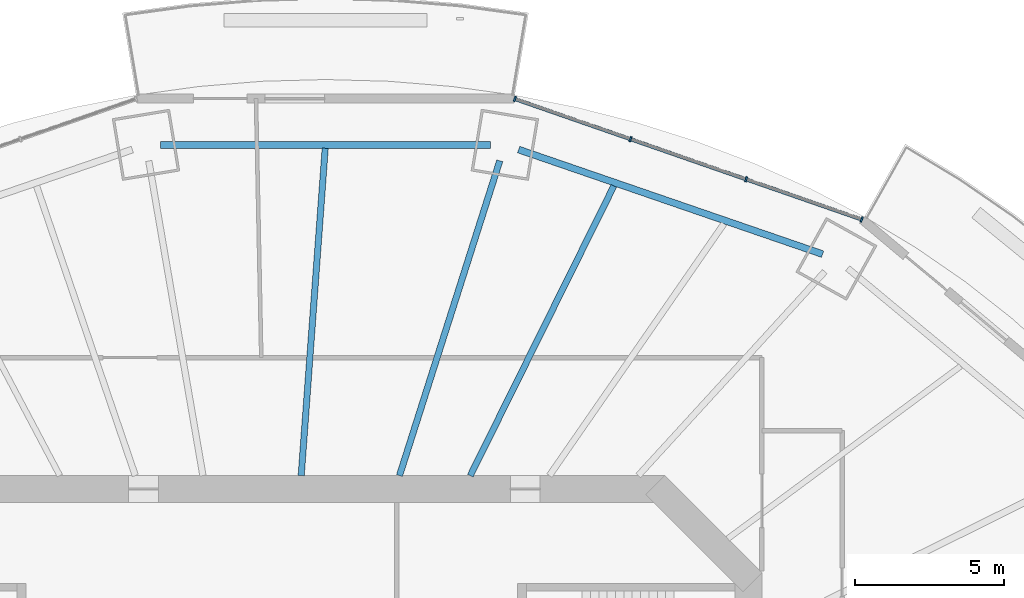
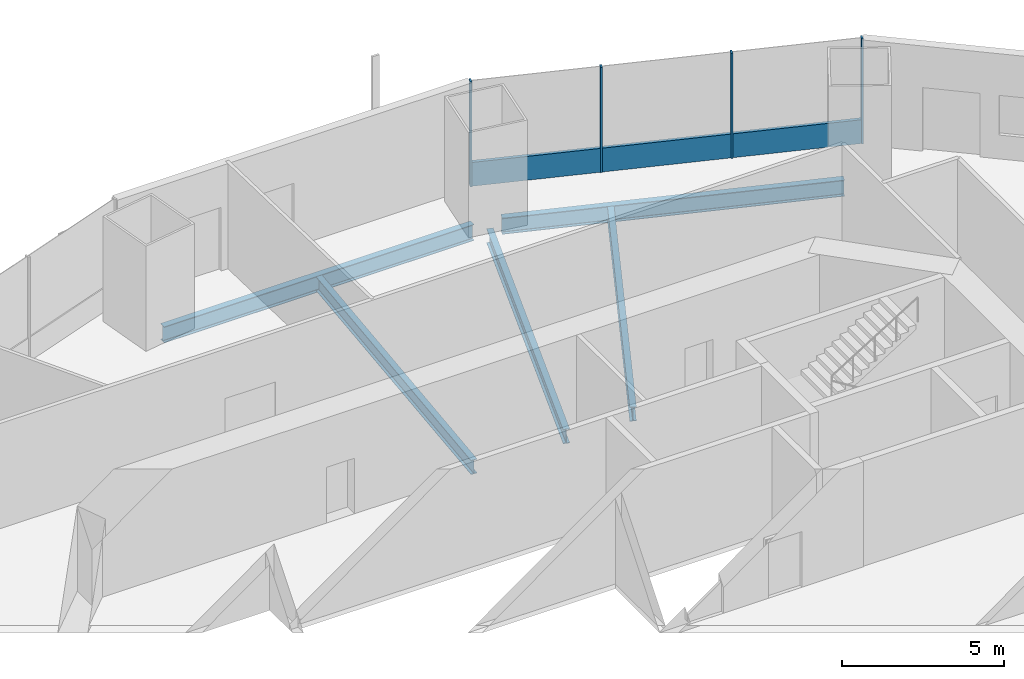
# One storey, part 8 of 20: 5 beams, 5 members, 1 element without a shape of its own.
"""IFC4 building model written with IfcOpenShell, lengths in metres."""

from ifc_helpers import new_model, si_unit, direction, frame, origin, origin_2d, place, context, subcontext, project, spatial, rectangle, i_section, extrude, material, material_profile, profile_set, type_object, element, aggregate, save


model = new_model("IFC4")

# Units and contexts
model_context = context("Model", 3, precision=1e-05, world=origin(), true_north=direction((0.0, 1.0)))
body_context = subcontext(model_context, "Body", "Model", "MODEL_VIEW")
ifc_project = project(units=[si_unit("LENGTHUNIT", "METRE"), si_unit("AREAUNIT", "SQUARE_METRE"), si_unit("VOLUMEUNIT", "CUBIC_METRE"), si_unit("PLANEANGLEUNIT", "RADIAN"), si_unit("MASSUNIT", "GRAM", prefix="KILO")], contexts=[model_context])

# Site, building, storey
site_placement = place(None, origin())
site = spatial("IfcSite", under=ifc_project, at=site_placement, CompositionType="ELEMENT")
building_placement = place(site_placement, origin())
building = spatial("IfcBuilding", under=site, at=building_placement, Name="Marenthal Gate Tower", CompositionType="ELEMENT")
storey_placement = place(building_placement, frame((0.0, 0.0, 177.64990234375)))
storey = spatial("IfcBuildingStorey", under=building, at=storey_placement, Name="L38", CompositionType="ELEMENT", Elevation=177.64990234375)

# Curtain wall, members
ifc_material_1 = material(Name="Aluminium and glass", Category="aluminium")
curtain_wall_type = type_object("IfcCurtainWallType", Name="Curtain wall typical mid", PredefinedType="NOTDEFINED", material=ifc_material_1)
curtain_wall_placement = place(storey_placement, origin())
curtain_wall = element("IfcCurtainWall", 1, at=curtain_wall_placement, inside=storey, type_object=curtain_wall_type, Name="Curtain wall L38 bay 3", PredefinedType="NOTDEFINED")
ifc_material_2 = material(Name="Aluminium", Category="aluminium")
ifc_material_profile_1 = material_profile(ifc_material_2, rectangle(XDim=0.179931640625, YDim=0.06005859375, at=origin_2d()), Name="60x180 aluminium mullion")
ifc_profile_set_1 = profile_set([ifc_material_profile_1], Name="Aluminium")
member_type_1 = type_object("IfcMemberType", Name="Mullion 60x180 typical mid", PredefinedType="MULLION", material=ifc_profile_set_1)
member_1_placement = place(storey_placement, frame((19.8037109375, 22.04736328125, 0.0), z_axis=(0.0, 0.0, 1.0), x_axis=(-0.32821091538, -0.944604464856, 0.0)))
member_1 = element("IfcMember", 2, at=member_1_placement, type_object=member_type_1, Name="Mullion L38 bay 3.1", PredefinedType="MULLION", context=body_context, shape_type="SweptSolid", body=[
    extrude(rectangle(XDim=0.179931640625, YDim=0.06005859375, at=origin_2d()), origin(), (0.0, 0.0, 1.0), 3.97021484375),
])
member_2_placement = place(storey_placement, frame((15.922607421875, 23.39599609375, 0.0), z_axis=(0.0, 0.0, 1.0), x_axis=(-0.32821091538, -0.944604464856, 0.0)))
member_2 = element("IfcMember", 3, at=member_2_placement, type_object=member_type_1, Name="Mullion L38 bay 3.2", PredefinedType="MULLION", context=body_context, shape_type="SweptSolid", body=[
    extrude(rectangle(XDim=0.179931640625, YDim=0.06005859375, at=origin_2d()), origin(), (0.0, 0.0, 1.0), 3.97021484375),
])
member_3_placement = place(storey_placement, frame((12.04150390625, 24.74462890625, 0.0), z_axis=(0.0, 0.0, 1.0), x_axis=(-0.32821091538, -0.944604464856, 0.0)))
member_3 = element("IfcMember", 4, at=member_3_placement, type_object=member_type_1, Name="Mullion L38 bay 3.3", PredefinedType="MULLION", context=body_context, shape_type="SweptSolid", body=[
    extrude(rectangle(XDim=0.179931640625, YDim=0.06005859375, at=origin_2d()), origin(), (0.0, 0.0, 1.0), 3.97021484375),
])
member_4_placement = place(storey_placement, frame((8.160400390625, 26.093017578125, 0.0), z_axis=(0.0, 0.0, 1.0), x_axis=(-0.32821091538, -0.944604464856, 0.0)))
member_4 = element("IfcMember", 5, at=member_4_placement, type_object=member_type_1, Name="Mullion L38 bay 3.4", PredefinedType="MULLION", context=body_context, shape_type="SweptSolid", body=[
    extrude(rectangle(XDim=0.179931640625, YDim=0.06005859375, at=origin_2d()), origin(), (0.0, 0.0, 1.0), 3.97021484375),
])
ifc_material_3 = material(Name="Aluminium", Category="aluminium")
ifc_material_profile_2 = material_profile(ifc_material_3, rectangle(XDim=0.1201171875, YDim=0.89990234375, at=origin_2d()), Name="120x900 aluminium transom")
ifc_profile_set_2 = profile_set([ifc_material_profile_2], Name="Aluminium")
member_type_2 = type_object("IfcMemberType", Name="Transom 120x900 typical mid", PredefinedType="USERDEFINED", material=ifc_profile_set_2)
member_5_placement = place(storey_placement, frame((19.775390625, 22.057373046875, 0.4501953125), z_axis=(-0.944604688319, 0.328210272243, 0.0), x_axis=(-0.328210272243, -0.944604688319, 0.0)))
member_5 = element("IfcMember", 6, at=member_5_placement, type_object=member_type_2, Name="Transom L38 bay 3", ObjectType="TRANSOM", PredefinedType="USERDEFINED", context=body_context, shape_type="SweptSolid", body=[
    extrude(rectangle(XDim=0.1201171875, YDim=0.89990234375, at=origin_2d()), origin(), (0.0, 0.0, 1.0), 12.26611328125),
])
aggregate(curtain_wall, [member_1, member_2, member_3, member_4, member_5])

# Beams
ifc_material_4 = material(Name="Steel S355", Category="steel")
ifc_material_profile_3 = material_profile(ifc_material_4, i_section(OverallWidth=0.2099609375, OverallDepth=0.535888671875, WebThickness=0.010986328125, FlangeThickness=0.017333984375, FilletRadius=0.0126953125, at=origin_2d()), Name="W530X101")
ifc_profile_set_3 = profile_set([ifc_material_profile_3], Name="Steel S355")
beam_type_1 = type_object("IfcBeamType", Name="W530X101 beam", PredefinedType="BEAM", material=ifc_profile_set_3)
beam_1_placement = place(storey_placement, frame((11.482666015625, 23.17333984375, -0.447998046875), z_axis=(-0.443979933234, -0.896036728536, 0.0), x_axis=(0.896036728536, -0.443979933234, 0.0)))
element("IfcBeam", 7, at=beam_1_placement, inside=storey, type_object=beam_type_1, Name="BM-L38-21", PredefinedType="BEAM", context=body_context, shape_type="SweptSolid", body=[
    extrude(i_section(OverallWidth=0.2099609375, OverallDepth=0.535888671875, WebThickness=0.010986328125, FlangeThickness=0.017333984375, FilletRadius=0.0126953125, at=origin_2d()), origin(), (0.0, 0.0, 1.0), 10.8515625),
])
beam_2_placement = place(storey_placement, frame((1.79150390625, 24.438720703125, -0.447998046875), z_axis=(-0.073098738364, -0.997324708633, 0.0), x_axis=(0.997324708633, -0.073098738364, 0.0)))
element("IfcBeam", 8, at=beam_2_placement, inside=storey, type_object=beam_type_1, Name="BM-L38-22", PredefinedType="BEAM", context=body_context, shape_type="SweptSolid", body=[
    extrude(i_section(OverallWidth=0.2099609375, OverallDepth=0.535888671875, WebThickness=0.010986328125, FlangeThickness=0.017333984375, FilletRadius=0.0126953125, at=origin_2d()), origin(), (0.0, 0.0, 1.0), 11.018310546875),
])
ifc_material_5 = material(Name="Steel S355", Category="steel")
ifc_material_profile_4 = material_profile(ifc_material_5, i_section(OverallWidth=0.2119140625, OverallDepth=0.5439453125, WebThickness=0.01318359375, FlangeThickness=0.021240234375, FilletRadius=0.0126953125, at=origin_2d()), Name="W530X123")
ifc_profile_set_4 = profile_set([ifc_material_profile_4], Name="Steel S355")
beam_type_2 = type_object("IfcBeamType", Name="W530X123 beam", PredefinedType="BEAM", material=ifc_profile_set_4)
beam_3_placement = place(storey_placement, frame((7.6533203125, 24.0185546875, -0.451904296875), z_axis=(-0.303587924845, -0.952803427727, 0.0), x_axis=(0.952803427727, -0.303587924845, 0.0)))
element("IfcBeam", 9, at=beam_3_placement, inside=storey, type_object=beam_type_2, Name="BM-L38-04", PredefinedType="BEAM", context=body_context, shape_type="SweptSolid", body=[
    extrude(i_section(OverallWidth=0.2119140625, OverallDepth=0.5439453125, WebThickness=0.01318359375, FlangeThickness=0.021240234375, FilletRadius=0.0126953125, at=origin_2d()), origin(), (0.0, 0.0, 1.0), 11.092041015625),
])
ifc_material_6 = material(Name="Steel S355", Category="steel")
ifc_material_profile_5 = material_profile(ifc_material_6, i_section(OverallWidth=0.22900390625, OverallDepth=0.612060546875, WebThickness=0.011962890625, FlangeThickness=0.01953125, FilletRadius=0.0126953125, at=origin_2d()), Name="W610X125")
ifc_profile_set_5 = profile_set([ifc_material_profile_5], Name="Steel S355")
beam_type_3 = type_object("IfcBeamType", Name="W610X125 beam", PredefinedType="BEAM", material=ifc_profile_set_5)
beam_4_placement = place(storey_placement, frame((18.49072265625, 20.88330078125, -0.48583984375), z_axis=(-0.945596584749, 0.325341511203, 0.0), x_axis=(-0.325341511203, -0.945596584749, 0.0)))
element("IfcBeam", 10, at=beam_4_placement, inside=storey, type_object=beam_type_3, Name="BM-L38-43", PredefinedType="BEAM", context=body_context, shape_type="SweptSolid", body=[
    extrude(i_section(OverallWidth=0.22900390625, OverallDepth=0.612060546875, WebThickness=0.011962890625, FlangeThickness=0.01953125, FilletRadius=0.0126953125, at=origin_2d()), origin(), (0.0, 0.0, 1.0), 10.791748046875),
])
beam_5_placement = place(storey_placement, frame((7.335693359375, 24.55322265625, -0.48583984375), z_axis=(-1.0, 0.0, 0.0), x_axis=(0.0, -1.0, 0.0)))
element("IfcBeam", 11, at=beam_5_placement, inside=storey, type_object=beam_type_3, Name="BM-L38-44", PredefinedType="BEAM", context=body_context, shape_type="SweptSolid", body=[
    extrude(i_section(OverallWidth=0.22900390625, OverallDepth=0.612060546875, WebThickness=0.011962890625, FlangeThickness=0.01953125, FilletRadius=0.0126953125, at=origin_2d()), origin(), (0.0, 0.0, 1.0), 11.0712890625),
])

save(model, "model.ifc")
